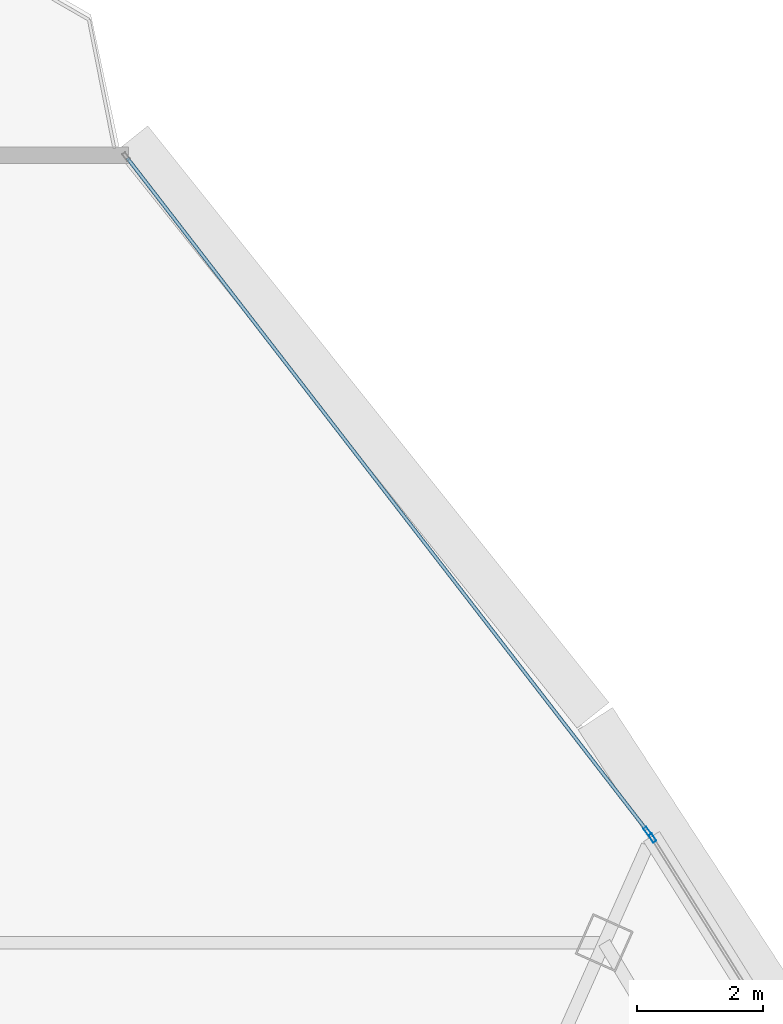
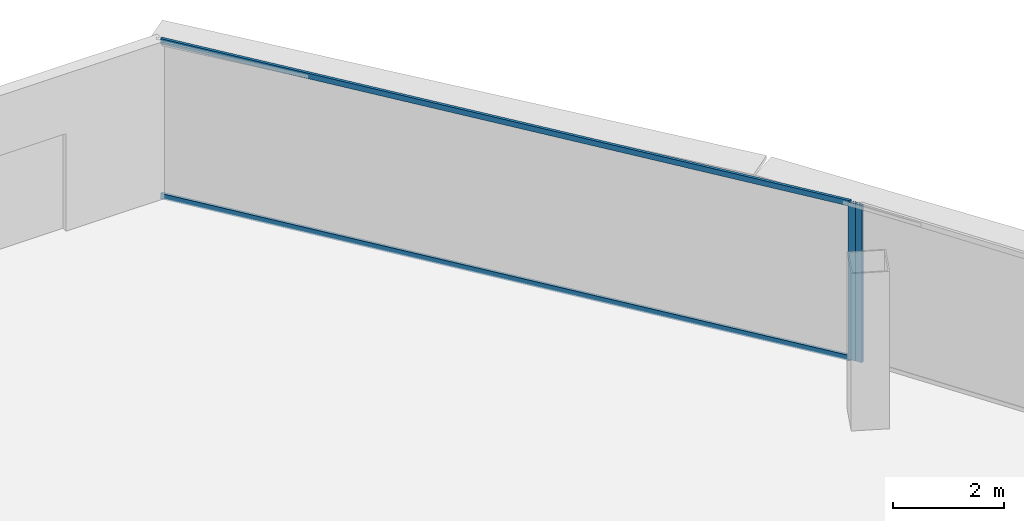
# One storey, part 19 of 29: 4 members, 2 elements without a shape of their own.
"""IFC4 building model written with IfcOpenShell, lengths in metres."""

from ifc_helpers import new_model, si_unit, direction, frame, origin, origin_2d, place, context, subcontext, project, spatial, hollow_rectangle, extrude, source, transform, mapped, material, layer, layer_set, material_profile, profile_set, type_object, element, aggregate, save


model = new_model("IFC4")

# Units and contexts
model_context = context("Model", 3, precision=1e-05, world=origin(), true_north=direction((0.0, 1.0)))
body_context = subcontext(model_context, "Body", "Model", "MODEL_VIEW")
ifc_project = project(units=[si_unit("LENGTHUNIT", "METRE"), si_unit("AREAUNIT", "SQUARE_METRE"), si_unit("VOLUMEUNIT", "CUBIC_METRE"), si_unit("PLANEANGLEUNIT", "RADIAN"), si_unit("MASSUNIT", "GRAM", prefix="KILO"), si_unit("THERMODYNAMICTEMPERATUREUNIT", "KELVIN"), si_unit("POWERUNIT", "WATT")], contexts=[model_context])

# Site, building, storey
site_placement = place(None, origin())
site = spatial("IfcSite", under=ifc_project, at=site_placement, CompositionType="ELEMENT")
building_placement = place(site_placement, origin())
building = spatial("IfcBuilding", under=site, at=building_placement, Name="Yunzhuo Pagoda Commons", CompositionType="ELEMENT")
storey_placement = place(building_placement, frame((0.0, 0.0, 363.010009765625)))
storey = spatial("IfcBuildingStorey", under=building, at=storey_placement, Name="L91", CompositionType="ELEMENT", Elevation=363.010009765625)

# Curtain wall, member
ifc_material = material(Name="Anodized aluminium 6063-T6", Category="aluminium")
ifc_layer = layer(ifc_material, 0.139892578125)
ifc_layer_set = layer_set([ifc_layer], Name="Anodized aluminium 6063-T6")
curtain_wall_type = type_object("IfcCurtainWallType", Name="CW-HI High-Zone Ribbon Curtain Wall", PredefinedType="NOTDEFINED", material=ifc_layer_set)
curtain_wall_1_placement = place(storey_placement, origin())
curtain_wall_1 = element("IfcCurtainWall", 1, at=curtain_wall_1_placement, inside=storey, type_object=curtain_wall_type, Name="L91 curtain wall CW-L91-F2B4", PredefinedType="NOTDEFINED")
ifc_material_profile_1 = material_profile(ifc_material, hollow_rectangle(XDim=0.06005859375, YDim=0.139892578125, WallThickness=0.00341796875, at=origin_2d()), Name="Anodized aluminium 6063-T6")
ifc_profile_set_1 = profile_set([ifc_material_profile_1], Name="Anodized aluminium 6063-T6")
member_type_1 = type_object("IfcMemberType", Name="CW-HI-M Mullion RHS 140x60x3.5", PredefinedType="MULLION", material=ifc_profile_set_1)
shared_shape_1 = source(origin(), body_context, "Body", "SweptSolid", [
    extrude(hollow_rectangle(XDim=0.06005859375, YDim=0.139892578125, WallThickness=0.00341796875, at=origin_2d()), origin(), (0.0, 0.0, 1.0), 3.47021484375),
])
member_1_placement = place(storey_placement, frame((59.264892578125, 58.9404296875, 0.0), z_axis=(0.0, 0.0, 1.0), x_axis=(-0.847272854146, -0.531157896135, 0.0)))
member_1 = element("IfcMember", 2, at=member_1_placement, type_object=member_type_1, Name="CW mullion 2", PredefinedType="MULLION", context=body_context, shape_type="MappedRepresentation", body=[
    mapped(shared_shape_1, transform((0.0, 0.0, 0.0), scale=1.0)),
])
aggregate(curtain_wall_1, [member_1])

# Curtain wall, members
curtain_wall_2_placement = place(storey_placement, origin())
curtain_wall_2 = element("IfcCurtainWall", 3, at=curtain_wall_2_placement, inside=storey, type_object=curtain_wall_type, Name="L91 curtain wall CW-L91-F2B5", PredefinedType="NOTDEFINED")
member_2_placement = place(storey_placement, frame((59.18505859375, 59.048828125, 0.0), z_axis=(0.0, 0.0, 1.0), x_axis=(-0.79134909847, -0.61136454293, 0.0)))
member_2 = element("IfcMember", 4, at=member_2_placement, type_object=member_type_1, Name="CW mullion 1", PredefinedType="MULLION", context=body_context, shape_type="MappedRepresentation", body=[
    mapped(shared_shape_1, transform((0.0, 0.0, 0.0), scale=1.0)),
])
ifc_material_profile_2 = material_profile(ifc_material, hollow_rectangle(XDim=0.054931640625, YDim=0.1201171875, WallThickness=0.00341796875, at=origin_2d()), Name="Anodized aluminium 6063-T6")
ifc_profile_set_2 = profile_set([ifc_material_profile_2], Name="Anodized aluminium 6063-T6")
member_type_2 = type_object("IfcMemberType", Name="CW-HI-T Transom RHS 120x55x3.5", PredefinedType="USERDEFINED", material=ifc_profile_set_2)
shared_shape_2 = source(origin(), body_context, "Body", "SweptSolid", [
    extrude(hollow_rectangle(XDim=0.054931640625, YDim=0.1201171875, WallThickness=0.00341796875, at=origin_2d()), origin(), (0.0, 0.0, 1.0), 13.46630859375),
])
member_3_placement = place(storey_placement, frame((59.16650390625, 59.072509765625, 0.027587890625), z_axis=(-0.611370616894, 0.791344405931, 0.0), x_axis=(-0.791344405931, -0.611370616894, 0.0)))
member_3 = element("IfcMember", 5, at=member_3_placement, type_object=member_type_2, Name="CW transom 1.1", ObjectType="TRANSOM", PredefinedType="USERDEFINED", context=body_context, shape_type="MappedRepresentation", body=[
    mapped(shared_shape_2, transform((0.0, 0.0, 0.0), scale=1.0)),
])
member_4_placement = place(storey_placement, frame((59.16650390625, 59.072509765625, 3.4423828125), z_axis=(-0.611370616894, 0.791344405931, 0.0), x_axis=(-0.791344405931, -0.611370616894, 0.0)))
member_4 = element("IfcMember", 6, at=member_4_placement, type_object=member_type_2, Name="CW transom 1.2", ObjectType="TRANSOM", PredefinedType="USERDEFINED", context=body_context, shape_type="MappedRepresentation", body=[
    mapped(shared_shape_2, transform((0.0, 0.0, 0.0), scale=1.0)),
])
aggregate(curtain_wall_2, [member_2, member_3, member_4])

save(model, "model.ifc")
